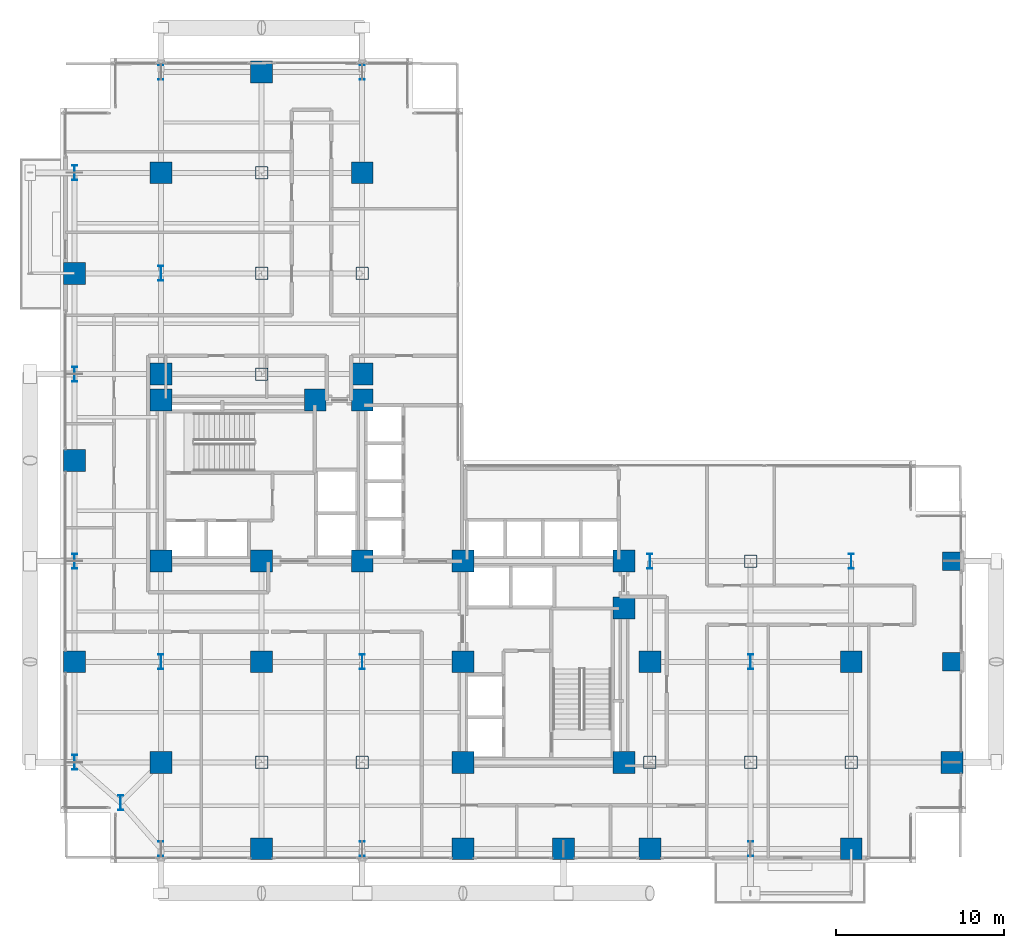
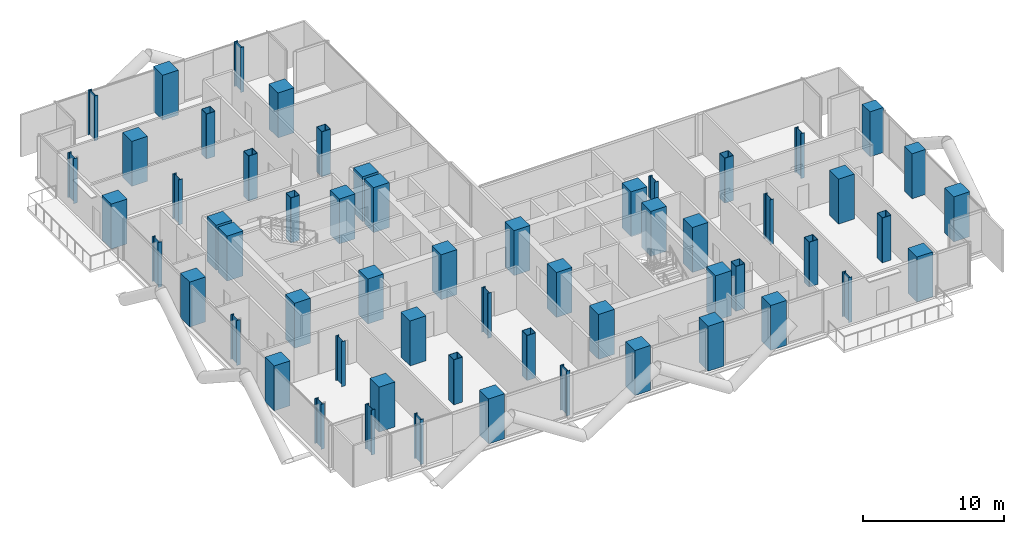
# One storey, part 1 of 27: 58 columns.
"""IFC4 building model written with IfcOpenShell, lengths in metres."""

from ifc_helpers import new_model, si_unit, direction, frame, origin, origin_2d, place, context, subcontext, project, spatial, rectangle, hollow_rectangle, i_section, extrude, material, material_profile, profile_set, type_object, element, save


model = new_model("IFC4")

# Units and contexts
model_context = context("Model", 3, precision=1e-05, world=origin(), true_north=direction((0.0, 1.0)))
body_context = subcontext(model_context, "Body", "Model", "MODEL_VIEW")
ifc_project = project(units=[si_unit("LENGTHUNIT", "METRE"), si_unit("AREAUNIT", "SQUARE_METRE"), si_unit("VOLUMEUNIT", "CUBIC_METRE"), si_unit("PLANEANGLEUNIT", "RADIAN"), si_unit("MASSUNIT", "GRAM", prefix="KILO"), si_unit("THERMODYNAMICTEMPERATUREUNIT", "KELVIN"), si_unit("POWERUNIT", "WATT")], contexts=[model_context])

# Site, building, storey
site_placement = place(None, origin())
site = spatial("IfcSite", under=ifc_project, at=site_placement, CompositionType="ELEMENT")
building_placement = place(site_placement, origin())
building = spatial("IfcBuilding", under=site, at=building_placement, Name="Svarakhadi Broadcast Tower", CompositionType="ELEMENT")
storey_placement = place(building_placement, frame((0.0, 0.0, 55.800048828125)))
storey = spatial("IfcBuildingStorey", under=building, at=storey_placement, Name="L12", CompositionType="ELEMENT", Elevation=55.800048828125)

# Columns
ifc_material_1 = material(Name="Steel S460ML (IS 2062 E450BR)", Category="steel")
ifc_material_profile_1 = material_profile(ifc_material_1, hollow_rectangle(XDim=0.75, YDim=0.75, WallThickness=0.034912109375, InnerFilletRadius=0.034912109375, OuterFilletRadius=0.050048828125, at=origin_2d()), Name="BOX 750x750x35")
ifc_profile_set_1 = profile_set([ifc_material_profile_1], Name="Steel S460ML (IS 2062 E450BR)")
column_type_1 = type_object("IfcColumnType", Name="Col_BOX750", PredefinedType="COLUMN", material=ifc_profile_set_1)
for number, where, z_axis, x_axis, name in (
    (1, (12.0, 6.0, 0.0), (0.0, 0.0, 1.0), (1.0, 0.0, 0.0), "L12 Column G19"),
    (2, (12.0, 29.14990234375, 0.0), (0.0, 0.0, 1.0), (1.0, 0.0, 0.0), "L12 Column G21"),
    (3, (12.0, 35.14990234375, 0.0), (0.0, 0.0, 1.0), (1.0, 0.0, 0.0), "L12 Column G22"),
    (4, (12.0, 41.14990234375, 0.0), (0.0, 0.0, 1.0), (1.0, 0.0, 0.0), "L12 Column G23"),
    (5, (18.0, 6.0, 0.0), (0.0, 0.0, 1.0), (1.0, 0.0, 0.0), "L12 Column G26"),
    (6, (18.0, 35.14990234375, 0.0), (0.0, 0.0, 1.0), (1.0, 0.0, 0.0), "L12 Column G29"),
    (7, (35.14990234375, 6.0, 0.0), (0.0, 0.0, 1.0), (1.0, 0.0, 0.0), "L12 Column G39"),
    (8, (41.14990234375, 6.0, 0.0), (0.0, 0.0, 1.0), (1.0, 0.0, 0.0), "L12 Column G44"),
    (9, (41.14990234375, 18.0, 0.0), (0.0, 0.0, 1.0), (1.0, 0.0, 0.0), "L12 Column G46"),
    (10, (47.14990234375, 6.0, 0.0), (0.0, 0.0, 1.0), (1.0, 0.0, 0.0), "L12 Column G51"),
):
    element("IfcColumn", number, at=place(storey_placement, frame(where, z_axis=z_axis, x_axis=x_axis)), inside=storey, type_object=column_type_1, Name=name, PredefinedType="COLUMN", context=body_context, shape_type="SweptSolid", body=[
        extrude(hollow_rectangle(XDim=0.75, YDim=0.75, WallThickness=0.034912109375, InnerFilletRadius=0.034912109375, OuterFilletRadius=0.050048828125, at=origin_2d()), origin(), (0.0, 0.0, 1.0), 3.89990234375),
    ])
ifc_material_2 = material(Name="Concrete C50/60 (IS 456 M60)", Category="concrete")
ifc_material_profile_2 = material_profile(ifc_material_2, rectangle(XDim=1.10009765625, YDim=1.10009765625, at=origin_2d()), Name="RC 1100x1100")
ifc_profile_set_2 = profile_set([ifc_material_profile_2], Name="Concrete C50/60 (IS 456 M60)")
column_type_2 = type_object("IfcColumnType", Name="Col_RC1100", PredefinedType="COLUMN", material=ifc_profile_set_2)
for number, where, z_axis, x_axis, name in (
    (11, (53.14990234375, 12.0, 0.0), (0.0, 0.0, 1.0), (1.0, 0.0, 0.0), "L12 Zone-1 East Stack Column ZT02"),
    (12, (53.14990234375, 18.0, 0.0), (0.0, 0.0, 1.0), (1.0, 0.0, 0.0), "L12 Zone-1 East Stack Column ZT03"),
):
    element("IfcColumn", number, at=place(storey_placement, frame(where, z_axis=z_axis, x_axis=x_axis)), inside=storey, type_object=column_type_2, Name=name, PredefinedType="COLUMN", context=body_context, shape_type="SweptSolid", body=[
        extrude(rectangle(XDim=1.10009765625, YDim=1.10009765625, at=origin_2d()), origin(), (0.0, 0.0, 1.0), 3.89990234375),
    ])
ifc_material_3 = material(Name="Concrete C60/75 (IS 456 M70)", Category="concrete")
ifc_material_profile_3 = material_profile(ifc_material_3, rectangle(XDim=1.300048828125, YDim=1.300048828125, at=origin_2d()), Name="RC 1300x1300")
ifc_profile_set_3 = profile_set([ifc_material_profile_3], Name="Concrete C60/75 (IS 456 M70)")
column_type_3 = type_object("IfcColumnType", Name="Col_RC1300", PredefinedType="COLUMN", material=ifc_profile_set_3)
for number, where, z_axis, x_axis, name in (
    (13, (6.0, 18.0, 0.0), (0.0, 0.0, 1.0), (1.0, 0.0, 0.0), "L12 Column CW1"),
    (14, (12.0, 18.0, 0.0), (0.0, 0.0, 1.0), (1.0, 0.0, 0.0), "L12 Column CW2"),
    (15, (18.0, 18.0, 0.0), (0.0, 0.0, 1.0), (1.0, 0.0, 0.0), "L12 Column CW3"),
    (16, (6.0, 27.60009765625, 0.0), (0.0, 0.0, 1.0), (1.0, 0.0, 0.0), "L12 Column CW4"),
    (17, (15.199951171875, 27.60009765625, 0.0), (0.0, 0.0, 1.0), (1.0, 0.0, 0.0), "L12 Column CW5"),
    (18, (18.0, 27.60009765625, 0.0), (0.0, 0.0, 1.0), (1.0, 0.0, 0.0), "L12 Column CW6"),
    (19, (24.0, 6.0, 0.0), (0.0, 0.0, 1.0), (1.0, 0.0, 0.0), "L12 Column CE1"),
    (20, (24.0, 12.0, 0.0), (0.0, 0.0, 1.0), (1.0, 0.0, 0.0), "L12 Column CE2"),
    (21, (24.0, 18.0, 0.0), (0.0, 0.0, 1.0), (1.0, 0.0, 0.0), "L12 Column CE3"),
    (22, (33.60009765625, 6.0, 0.0), (0.0, 0.0, 1.0), (1.0, 0.0, 0.0), "L12 Column CE4"),
    (23, (33.60009765625, 15.199951171875, 0.0), (0.0, 0.0, 1.0), (1.0, 0.0, 0.0), "L12 Column CE5"),
    (24, (33.60009765625, 18.0, 0.0), (0.0, 0.0, 1.0), (1.0, 0.0, 0.0), "L12 Column CE6"),
    (25, (0.85009765625, 12.0, 0.0), (0.0, 0.0, 1.0), (1.0, 0.0, 0.0), "L12 Column G04"),
    (26, (0.85009765625, 24.0, 0.0), (0.0, 0.0, 1.0), (1.0, 0.0, 0.0), "L12 Column G06"),
    (27, (0.85009765625, 35.14990234375, 0.0), (0.0, 0.0, 1.0), (1.0, 0.0, 0.0), "L12 Column G08"),
    (28, (6.0, 6.0, 0.0), (0.0, 0.0, 1.0), (1.0, 0.0, 0.0), "L12 Column G12"),
    (29, (6.0, 29.14990234375, 0.0), (0.0, 0.0, 1.0), (1.0, 0.0, 0.0), "L12 Column G14"),
    (30, (6.0, 41.14990234375, 0.0), (0.0, 0.0, 1.0), (1.0, 0.0, 0.0), "L12 Column G16"),
    (31, (12.0, 0.85009765625, 0.0), (0.0, 0.0, 1.0), (1.0, 0.0, 0.0), "L12 Column G18"),
    (32, (12.0, 12.0, 0.0), (0.0, 0.0, 1.0), (1.0, 0.0, 0.0), "L12 Column G20"),
    (33, (12.0, 47.14990234375, 0.0), (0.0, 0.0, 1.0), (1.0, 0.0, 0.0), "L12 Column G24"),
    (34, (18.0, 29.14990234375, 0.0), (0.0, 0.0, 1.0), (1.0, 0.0, 0.0), "L12 Column G28"),
    (35, (18.0, 41.14990234375, 0.0), (0.0, 0.0, 1.0), (1.0, 0.0, 0.0), "L12 Column G30"),
    (36, (24.0, 0.85009765625, 0.0), (0.0, 0.0, 1.0), (1.0, 0.0, 0.0), "L12 Column G32"),
    (37, (30.0, 0.85009765625, 0.0), (0.0, 0.0, 1.0), (1.0, 0.0, 0.0), "L12 Column G36"),
    (38, (35.14990234375, 0.85009765625, 0.0), (0.0, 0.0, 1.0), (1.0, 0.0, 0.0), "L12 Column G38"),
    (39, (35.14990234375, 12.0, 0.0), (0.0, 0.0, 1.0), (1.0, 0.0, 0.0), "L12 Column G40"),
    (40, (47.14990234375, 0.85009765625, 0.0), (0.0, 0.0, 1.0), (1.0, 0.0, 0.0), "L12 Column G50"),
    (41, (47.14990234375, 12.0, 0.0), (0.0, 0.0, 1.0), (1.0, 0.0, 0.0), "L12 Column G52"),
    (42, (53.14990234375, 6.0, 0.0), (0.0, 0.0, 1.0), (1.0, 0.0, 0.0), "L12 Column G58"),
):
    element("IfcColumn", number, at=place(storey_placement, frame(where, z_axis=z_axis, x_axis=x_axis)), inside=storey, type_object=column_type_3, Name=name, PredefinedType="COLUMN", context=body_context, shape_type="SweptSolid", body=[
        extrude(rectangle(XDim=1.300048828125, YDim=1.300048828125, at=origin_2d()), origin(), (0.0, 0.0, 1.0), 3.89990234375),
    ])
ifc_material_profile_4 = material_profile(ifc_material_1, i_section(OverallWidth=0.300048828125, OverallDepth=0.89990234375, WebThickness=0.0185546875, FlangeThickness=0.034912109375, FilletRadius=0.030029296875, at=origin_2d()), Name="WPB 900x300x291")
ifc_profile_set_4 = profile_set([ifc_material_profile_4], Name="Steel S460ML (IS 2062 E450BR)")
column_type_4 = type_object("IfcColumnType", Name="Col_WPB900", PredefinedType="COLUMN", material=ifc_profile_set_4)
for number, where, z_axis, x_axis, name in (
    (43, (3.60009765625, 3.60009765625, 0.0), (0.0, 0.0, 1.0), (1.0, 0.0, 0.0), "L12 Column G01"),
    (44, (0.85009765625, 6.0, 0.0), (0.0, 0.0, 1.0), (1.0, 0.0, 0.0), "L12 Column G03"),
    (45, (0.85009765625, 18.0, 0.0), (0.0, 0.0, 1.0), (1.0, 0.0, 0.0), "L12 Column G05"),
    (46, (0.85009765625, 29.14990234375, 0.0), (0.0, 0.0, 1.0), (1.0, 0.0, 0.0), "L12 Column G07"),
    (47, (0.85009765625, 41.14990234375, 0.0), (0.0, 0.0, 1.0), (1.0, 0.0, 0.0), "L12 Column G09"),
    (48, (6.0, 0.85009765625, 0.0), (0.0, 0.0, 1.0), (1.0, 0.0, 0.0), "L12 Column G11"),
    (49, (6.0, 12.0, 0.0), (0.0, 0.0, 1.0), (1.0, 0.0, 0.0), "L12 Column G13"),
    (50, (6.0, 35.14990234375, 0.0), (0.0, 0.0, 1.0), (1.0, 0.0, 0.0), "L12 Column G15"),
    (51, (6.0, 47.14990234375, 0.0), (0.0, 0.0, 1.0), (1.0, 0.0, 0.0), "L12 Column G17"),
    (52, (18.0, 0.85009765625, 0.0), (0.0, 0.0, 1.0), (1.0, 0.0, 0.0), "L12 Column G25"),
    (53, (18.0, 12.0, 0.0), (0.0, 0.0, 1.0), (1.0, 0.0, 0.0), "L12 Column G27"),
    (54, (18.0, 47.14990234375, 0.0), (0.0, 0.0, 1.0), (1.0, 0.0, 0.0), "L12 Column G31"),
    (55, (35.14990234375, 18.0, 0.0), (0.0, 0.0, 1.0), (1.0, 0.0, 0.0), "L12 Column G41"),
    (56, (41.14990234375, 0.85009765625, 0.0), (0.0, 0.0, 1.0), (1.0, 0.0, 0.0), "L12 Column G43"),
    (57, (41.14990234375, 12.0, 0.0), (0.0, 0.0, 1.0), (1.0, 0.0, 0.0), "L12 Column G45"),
    (58, (47.14990234375, 18.0, 0.0), (0.0, 0.0, 1.0), (1.0, 0.0, 0.0), "L12 Column G53"),
):
    element("IfcColumn", number, at=place(storey_placement, frame(where, z_axis=z_axis, x_axis=x_axis)), inside=storey, type_object=column_type_4, Name=name, PredefinedType="COLUMN", context=body_context, shape_type="SweptSolid", body=[
        extrude(i_section(OverallWidth=0.300048828125, OverallDepth=0.89990234375, WebThickness=0.0185546875, FlangeThickness=0.034912109375, FilletRadius=0.030029296875, at=origin_2d()), origin(), (0.0, 0.0, 1.0), 3.89990234375),
    ])

save(model, "model.ifc")
